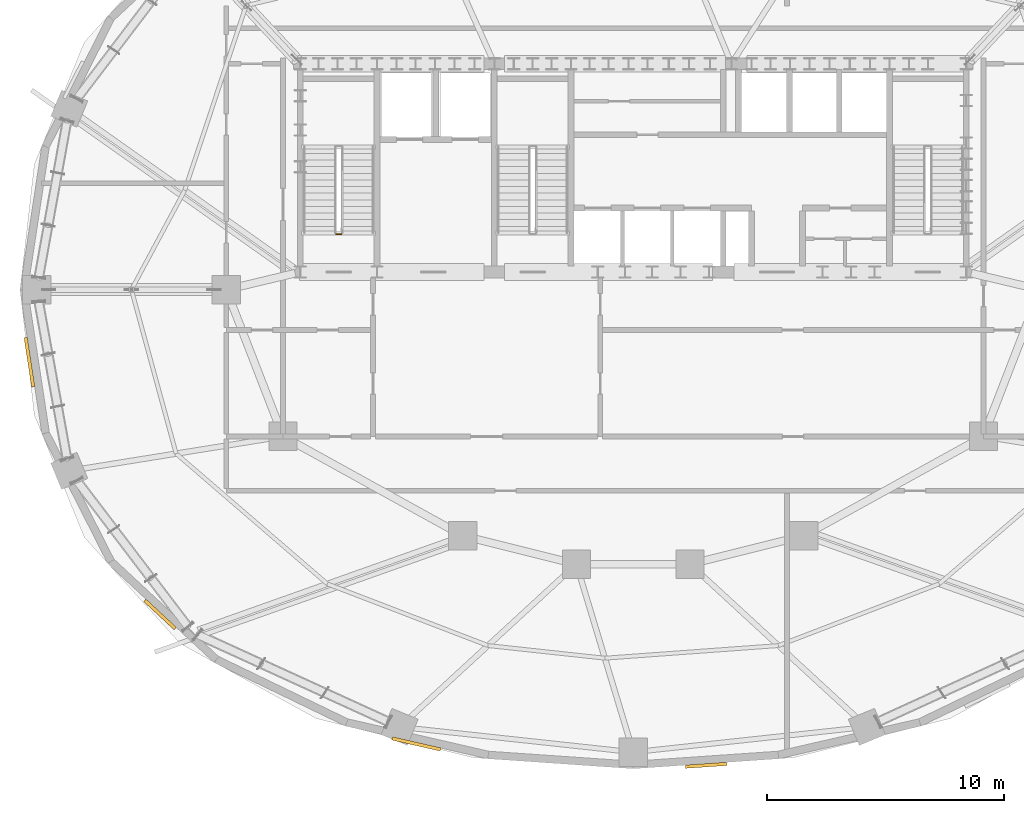
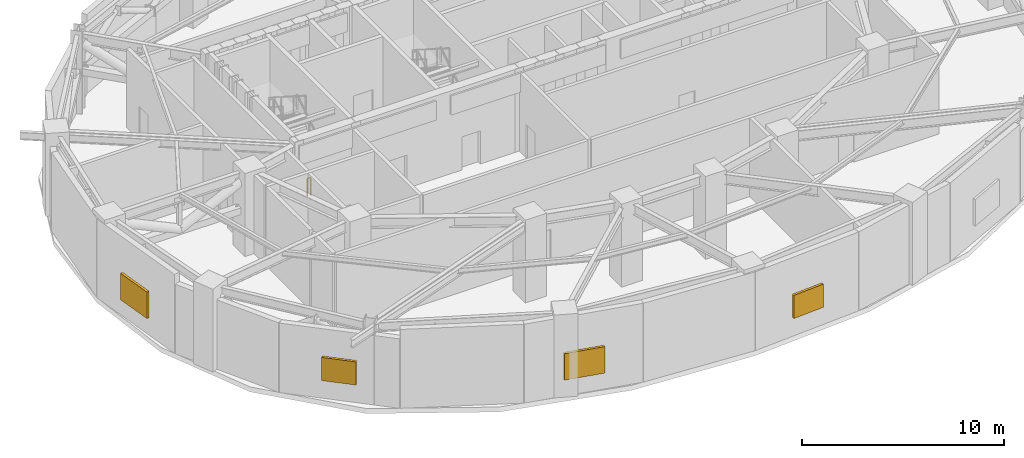
# One storey, part 14 of 17: 4 shading devices, 1 railing.
"""IFC4 building model written with IfcOpenShell, lengths in metres."""

from ifc_helpers import new_model, si_unit, direction, frame, origin, origin_2d, place, context, subcontext, project, spatial, rectangle, extrude, material, type_object, element, save


model = new_model("IFC4")

# Units and contexts
model_context = context("Model", 3, precision=1e-05, world=origin(), true_north=direction((0.0, 1.0)))
body_context = subcontext(model_context, "Body", "Model", "MODEL_VIEW")
ifc_project = project(units=[si_unit("LENGTHUNIT", "METRE"), si_unit("AREAUNIT", "SQUARE_METRE"), si_unit("VOLUMEUNIT", "CUBIC_METRE"), si_unit("PLANEANGLEUNIT", "RADIAN"), si_unit("MASSUNIT", "GRAM", prefix="KILO")], contexts=[model_context])

# Site, building, storey
site_placement = place(None, origin())
site = spatial("IfcSite", under=ifc_project, at=site_placement, CompositionType="ELEMENT")
building_placement = place(site_placement, origin())
building = spatial("IfcBuilding", under=site, at=building_placement, Name="Haldorwick Loom Tower", CompositionType="ELEMENT")
storey_placement = place(building_placement, frame((0.0, 0.0, 149.449951171875)))
storey = spatial("IfcBuildingStorey", under=building, at=storey_placement, Name="L40", CompositionType="ELEMENT", Elevation=149.449951171875)

# Railing
ifc_material_1 = material(Name="Steel CSA G40.21 350W", Category="steel")
railing_type = type_object("IfcRailingType", Name="ARC-RLG-GUARD112", PredefinedType="GUARDRAIL", material=ifc_material_1)
railing_placement = place(storey_placement, frame((23.64990234375, 28.35009765625, 0.0)))
element("IfcRailing", 1, at=railing_placement, inside=storey, type_object=railing_type, Name="L40 ST-01 stair guard 4", PredefinedType="GUARDRAIL", context=body_context, shape_type="SweptSolid", body=[
    extrude(rectangle(XDim=0.048095703125, YDim=0.048095703125, at=origin_2d()), frame((0.0, 0.0, 1.076171875), z_axis=(-1.0, 0.0, 0.0), x_axis=(0.0, -1.0, 0.0)), (0.0, 0.0, 1.0), 0.199951171875),
    extrude(rectangle(XDim=0.0419921875, YDim=0.0419921875, at=origin_2d()), origin(), (0.0, 0.0, 1.0), 1.052001953125),
    extrude(rectangle(XDim=0.0419921875, YDim=0.0419921875, at=origin_2d()), frame((-0.199951171875, 0.0, 0.0)), (0.0, 0.0, 1.0), 1.052001953125),
])

# Shading devices
ifc_material_2 = material(Name="Extruded Anodized Aluminium Weather Louvre", Category="aluminium")
shading_device_type_1 = type_object("IfcShadingDeviceType", Name="ARC-SHD-LOUVRE", PredefinedType="JALOUSIE", material=ifc_material_2)
for number, where, z_axis, x_axis, name in (
    (2, (10.481689453125, 22.9384765625, 1.050048828125), (0.0, 0.0, 1.0), (0.151260820247, -0.988493886809, 0.0), "L40 Mechanical Intake Weather Louvre 13"),
    (3, (26.829345703125, 6.80419921875, 1.050048828125), (0.0, 0.0, 1.0), (0.974761194191, -0.223250116011, 0.0), "L40 Mechanical Intake Weather Louvre 17"),
):
    element("IfcShadingDevice", number, at=place(storey_placement, frame(where, z_axis=z_axis, x_axis=x_axis)), inside=storey, type_object=shading_device_type_1, Name=name, PredefinedType="JALOUSIE", context=body_context, shape_type="SweptSolid", body=[
        extrude(rectangle(XDim=2.10009765625, YDim=0.139892578125, at=origin_2d()), origin(), (0.0, 0.0, 1.0), 1.60009765625),
    ])
shading_device_type_2 = type_object("IfcShadingDeviceType", Name="ARC-SHD-LOUVRE2", PredefinedType="JALOUSIE", material=ifc_material_2)
for number, where, z_axis, x_axis, name in (
    (4, (15.997802734375, 12.280517578125, 1.150146484375), (0.0, 0.0, 1.0), (0.732542898787, -0.680720868959, 0.0), "L40 Mechanical Intake Weather Louvre 15"),
    (5, (39.079833984375, 5.901123046875, 1.150146484375), (0.0, 0.0, 1.0), (0.997684278836, 0.068015290665, 0.0), "L40 Mechanical Intake Weather Louvre 19"),
):
    element("IfcShadingDevice", number, at=place(storey_placement, frame(where, z_axis=z_axis, x_axis=x_axis)), inside=storey, type_object=shading_device_type_2, Name=name, PredefinedType="JALOUSIE", context=body_context, shape_type="SweptSolid", body=[
        extrude(rectangle(XDim=1.75, YDim=0.139892578125, at=origin_2d()), origin(), (0.0, 0.0, 1.0), 1.39990234375),
    ])

save(model, "model.ifc")
